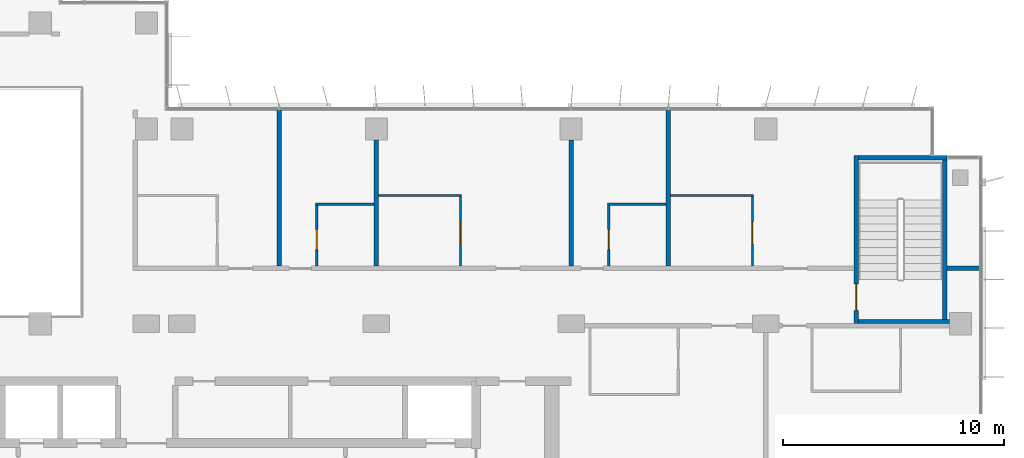
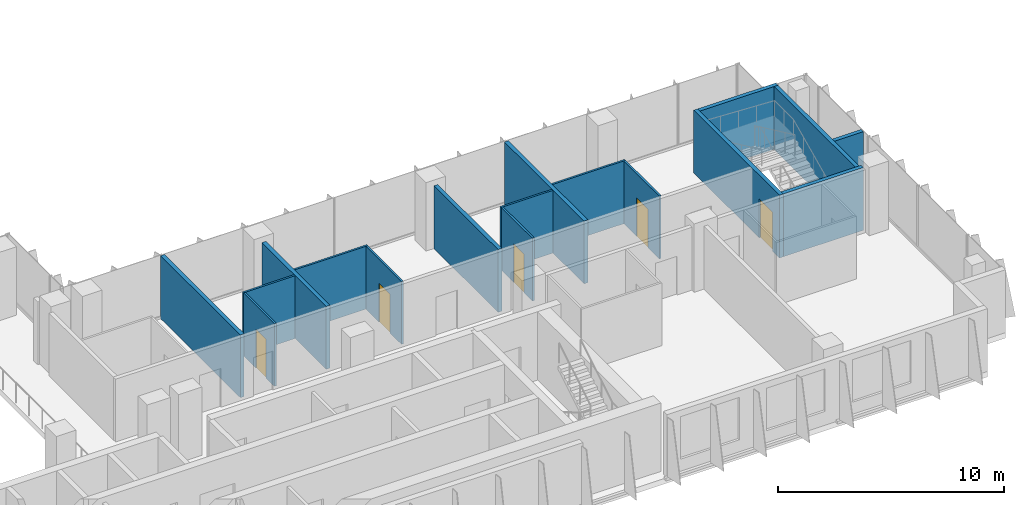
# One storey, part 15 of 21: 17 walls, 5 doors, 5 openings.
"""IFC4 building model written with IfcOpenShell, lengths in metres."""

from ifc_helpers import new_model, si_unit, direction, frame, frame_2d, origin, place, context, subcontext, project, spatial, rectangle, extrude, material, layer, layer_set, type_object, element, fill, save


model = new_model("IFC4")

# Units and contexts
model_context = context("Model", 3, precision=1e-05, world=origin(), true_north=direction((0.0, 1.0)))
body_context = subcontext(model_context, "Body", "Model", "MODEL_VIEW")
ifc_project = project(units=[si_unit("LENGTHUNIT", "METRE"), si_unit("AREAUNIT", "SQUARE_METRE"), si_unit("VOLUMEUNIT", "CUBIC_METRE"), si_unit("PLANEANGLEUNIT", "RADIAN"), si_unit("MASSUNIT", "GRAM", prefix="KILO")], contexts=[model_context])

# Site, building, storey
site_placement = place(None, origin())
site = spatial("IfcSite", under=ifc_project, at=site_placement, CompositionType="ELEMENT")
building_placement = place(site_placement, origin())
building = spatial("IfcBuilding", under=site, at=building_placement, Name="Kemantara Hotel Tower", CompositionType="ELEMENT")
storey_placement = place(building_placement, frame((0.0, 0.0, 164.199951171875)))
storey = spatial("IfcBuildingStorey", under=building, at=storey_placement, Name="L40", CompositionType="ELEMENT", Elevation=164.199951171875)

# Wall
ifc_material_1 = material(Name="Gypsum board partition, steel studs and mineral wool, 200 mm", Category="steel")
ifc_layer_1 = layer(ifc_material_1, 0.199951171875)
ifc_layer_set_1 = layer_set([ifc_layer_1], Name="Gypsum board partition, steel studs and mineral wool, 200 mm")
wall_type_1 = type_object("IfcWallType", Name="CORRIDOR WALL 200", PredefinedType="PARTITIONING", material=ifc_layer_set_1)
wall_1_placement = place(storey_placement, frame((62.0, 14.699951171875, 0.0), z_axis=(0.0, 0.0, 1.0), x_axis=(1.0, 0.0, 0.0)))
element("IfcWall", 1, at=wall_1_placement, inside=storey, type_object=wall_type_1, Name="CORRIDOR WALL 200 005", PredefinedType="PARTITIONING", context=body_context, shape_type="SweptSolid", body=[
    extrude(rectangle(XDim=1.47998046875, YDim=0.199951171875, at=frame_2d((0.739990234375, 0.0))), origin(), (0.0, 0.0, 1.0), 3.400146484375),
])

# Wall, opening, door
ifc_material_2 = material(Name="Concrete fc 40 MPa", Category="concrete")
ifc_layer_2 = layer(ifc_material_2, 0.199951171875)
ifc_layer_set_2 = layer_set([ifc_layer_2], Name="Concrete fc 40 MPa")
wall_type_2 = type_object("IfcWallType", Name="Concrete stair wall 200 mm", PredefinedType="SHEAR", material=ifc_layer_set_2)
wall_2_placement = place(storey_placement, frame((57.89990234375, 12.199951171875, 0.0), z_axis=(0.0, 0.0, 1.0), x_axis=(0.0, 1.0, 0.0)))
wall_2 = element("IfcWall", 2, at=wall_2_placement, inside=storey, type_object=wall_type_2, Name="Stair ST3 enclosure wall with door", PredefinedType="SHEAR", context=body_context, shape_type="SweptSolid", body=[
    extrude(rectangle(XDim=7.60009765625, YDim=0.199951171875, at=frame_2d((3.800048828125, 0.0))), origin(), (0.0, 0.0, 1.0), 3.400146484375),
])
opening_1_placement = place(wall_2_placement, frame((0.60009765625, 0.0, 0.0)))
opening_1 = element("IfcOpeningElement", 3, at=opening_1_placement, cuts=wall_2, Name="Opening ST3-C", PredefinedType="OPENING", context=body_context, shape_type="SweptSolid", body=[
    extrude(rectangle(XDim=1.199951171875, YDim=2.10009765625, at=frame_2d((0.60009765625, 1.050048828125))), frame((0.0, 0.10986328125, 0.0), z_axis=(0.0, -1.0, 0.0), x_axis=(1.0, 0.0, 0.0)), (0.0, 0.0, 1.0), 0.219970703125),
])
ifc_material_3 = material(Name="Steel fire door", Category="steel")
door_type_1 = type_object("IfcDoorType", Name="Fire door FD90 1200 x 2100", OperationType="NOTDEFINED", PredefinedType="DOOR", material=ifc_material_3)
door_1_placement = place(opening_1_placement, frame((1.199951171875, 0.0, 0.0), z_axis=(0.0, 0.0, 1.0), x_axis=(-1.0, 0.0, 0.0)))
door_1 = element("IfcDoor", 4, at=door_1_placement, inside=storey, type_object=door_type_1, Name="Stair ST3 door", OperationType="SINGLE_SWING_RIGHT", OverallHeight=2.10009765625, OverallWidth=1.199951171875, PredefinedType="DOOR", context=body_context, shape_type="SweptSolid", body=[
    extrude(rectangle(XDim=1.199951171875, YDim=2.10009765625, at=frame_2d((0.60009765625, 1.050048828125))), frame((0.0, 0.02490234375, 0.0), z_axis=(0.0, -1.0, 0.0), x_axis=(1.0, 0.0, 0.0)), (0.0, 0.0, 1.0), 0.050048828125),
])
fill(opening_1, door_1)

# Walls
wall_3_placement = place(storey_placement, frame((58.0, 19.699951171875, 0.0), z_axis=(0.0, 0.0, 1.0), x_axis=(1.0, 0.0, 0.0)))
element("IfcWall", 5, at=wall_3_placement, inside=storey, type_object=wall_type_2, Name="Stair ST3 enclosure wall N", PredefinedType="SHEAR", context=body_context, shape_type="SweptSolid", body=[
    extrude(rectangle(XDim=4.0, YDim=0.199951171875, at=frame_2d((2.0, 0.0))), origin(), (0.0, 0.0, 1.0), 3.400146484375),
])
wall_4_placement = place(storey_placement, frame((58.0, 12.300048828125, 0.0), z_axis=(0.0, 0.0, 1.0), x_axis=(1.0, 0.0, 0.0)))
element("IfcWall", 6, at=wall_4_placement, inside=storey, type_object=wall_type_2, Name="Stair ST3 enclosure wall S", PredefinedType="SHEAR", context=body_context, shape_type="SweptSolid", body=[
    extrude(rectangle(XDim=4.10009765625, YDim=0.199951171875, at=frame_2d((2.050048828125, 0.0))), origin(), (0.0, 0.0, 1.0), 3.400146484375),
])
wall_5_placement = place(storey_placement, frame((61.89990234375, 12.39990234375, 0.0), z_axis=(0.0, 0.0, 1.0), x_axis=(0.0, 1.0, 0.0)))
element("IfcWall", 7, at=wall_5_placement, inside=storey, type_object=wall_type_2, Name="Stair ST3 enclosure wall E", PredefinedType="SHEAR", context=body_context, shape_type="SweptSolid", body=[
    extrude(rectangle(XDim=7.2001953125, YDim=0.199951171875, at=frame_2d((3.60009765625, 0.0))), origin(), (0.0, 0.0, 1.0), 3.400146484375),
])
ifc_layer_3 = layer(ifc_material_1, 0.199951171875)
ifc_layer_set_3 = layer_set([ifc_layer_3], Name="Gypsum board partition, steel studs and mineral wool, 200 mm")
wall_type_3 = type_object("IfcWallType", Name="GUEST ROOM PARTY WALL 200", PredefinedType="PARTITIONING", material=ifc_layer_set_3)
wall_6_placement = place(storey_placement, frame((31.800048828125, 14.800048828125, 0.0), z_axis=(0.0, 0.0, 1.0), x_axis=(0.0, 1.0, 0.0)))
element("IfcWall", 8, at=wall_6_placement, inside=storey, type_object=wall_type_3, Name="GUEST ROOM PARTY WALL 200 008", PredefinedType="PARTITIONING", context=body_context, shape_type="SweptSolid", body=[
    extrude(rectangle(XDim=7.070068359375, YDim=0.199951171875, at=frame_2d((3.53515625, 0.0))), origin(), (0.0, 0.0, 1.0), 3.400146484375),
])
for number, where, z_axis, x_axis, name in (
    (9, (36.199951171875, 14.800048828125, 0.0), (0.0, 0.0, 1.0), (0.0, 1.0, 0.0), "GUEST ROOM PARTY WALL 200 009"),
    (10, (45.0, 14.800048828125, 0.0), (0.0, 0.0, 1.0), (0.0, 1.0, 0.0), "GUEST ROOM PARTY WALL 200 010"),
):
    element("IfcWall", number, at=place(storey_placement, frame(where, z_axis=z_axis, x_axis=x_axis)), inside=storey, type_object=wall_type_3, Name=name, PredefinedType="PARTITIONING", context=body_context, shape_type="SweptSolid", body=[
        extrude(rectangle(XDim=5.699951171875, YDim=0.199951171875, at=frame_2d((2.85009765625, 0.0))), origin(), (0.0, 0.0, 1.0), 3.400146484375),
    ])
wall_7_placement = place(storey_placement, frame((49.39990234375, 14.800048828125, 0.0), z_axis=(0.0, 0.0, 1.0), x_axis=(0.0, 1.0, 0.0)))
element("IfcWall", 11, at=wall_7_placement, inside=storey, type_object=wall_type_3, Name="GUEST ROOM PARTY WALL 200 011", PredefinedType="PARTITIONING", context=body_context, shape_type="SweptSolid", body=[
    extrude(rectangle(XDim=7.070068359375, YDim=0.199951171875, at=frame_2d((3.53515625, 0.0))), origin(), (0.0, 0.0, 1.0), 3.400146484375),
])
ifc_material_4 = material(Name="Gypsum board partition on steel studs, 100 mm", Category="steel")
ifc_layer_4 = layer(ifc_material_4, 0.10009765625)
ifc_layer_set_4 = layer_set([ifc_layer_4], Name="Gypsum board partition on steel studs, 100 mm")
wall_type_4 = type_object("IfcWallType", Name="ROOM PARTITION 100", PredefinedType="PARTITIONING", material=ifc_layer_set_4)
for number, where, z_axis, x_axis, name in (
    (12, (36.300048828125, 18.0, 0.0), (0.0, 0.0, 1.0), (1.0, 0.0, 0.0), "ROOM PARTITION 100 039"),
    (13, (49.5, 18.0, 0.0), (0.0, 0.0, 1.0), (1.0, 0.0, 0.0), "ROOM PARTITION 100 040"),
):
    element("IfcWall", number, at=place(storey_placement, frame(where, z_axis=z_axis, x_axis=x_axis)), inside=storey, type_object=wall_type_4, Name=name, PredefinedType="PARTITIONING", context=body_context, shape_type="SweptSolid", body=[
        extrude(rectangle(XDim=3.75, YDim=0.10009765625, at=frame_2d((1.875, 0.0))), origin(), (0.0, 0.0, 1.0), 3.400146484375),
    ])
for number, where, z_axis, x_axis, name in (
    (14, (33.449951171875, 17.60009765625, 0.0), (0.0, 0.0, 1.0), (1.0, 0.0, 0.0), "ROOM PARTITION 100 042"),
    (15, (46.64990234375, 17.60009765625, 0.0), (0.0, 0.0, 1.0), (1.0, 0.0, 0.0), "ROOM PARTITION 100 043"),
):
    element("IfcWall", number, at=place(storey_placement, frame(where, z_axis=z_axis, x_axis=x_axis)), inside=storey, type_object=wall_type_4, Name=name, PredefinedType="PARTITIONING", context=body_context, shape_type="SweptSolid", body=[
        extrude(rectangle(XDim=2.650146484375, YDim=0.10009765625, at=frame_2d((1.3251953125, 0.0))), origin(), (0.0, 0.0, 1.0), 3.400146484375),
    ])

# Wall, opening, door
wall_8_placement = place(storey_placement, frame((33.5, 17.550048828125, 0.0), z_axis=(0.0, 0.0, 1.0), x_axis=(0.0, -1.0, 0.0)))
wall_8 = element("IfcWall", 16, at=wall_8_placement, inside=storey, type_object=wall_type_4, Name="ROOM PARTITION 100 044", PredefinedType="PARTITIONING", context=body_context, shape_type="SweptSolid", body=[
    extrude(rectangle(XDim=2.75, YDim=0.10009765625, at=frame_2d((1.375, 0.0))), origin(), (0.0, 0.0, 1.0), 3.400146484375),
])
opening_2_placement = place(wall_8_placement, frame((1.10009765625, 0.0, 0.0)))
opening_2 = element("IfcOpeningElement", 17, at=opening_2_placement, cuts=wall_8, Name="Opening F18-008", PredefinedType="OPENING", context=body_context, shape_type="SweptSolid", body=[
    extrude(rectangle(XDim=0.89990234375, YDim=2.10009765625, at=frame_2d((0.449951171875, 1.050048828125))), frame((0.0, 0.06005859375, 0.0), z_axis=(0.0, -1.0, 0.0), x_axis=(1.0, 0.0, 0.0)), (0.0, 0.0, 1.0), 0.1201171875),
])
ifc_material_5 = material(Name="Hardwood veneer door leaf with steel frame", Category="steel")
door_type_2 = type_object("IfcDoorType", Name="BATHROOM DOOR 900 X 2100", OperationType="NOTDEFINED", PredefinedType="DOOR", material=ifc_material_5)
door_2_placement = place(opening_2_placement, origin())
door_2 = element("IfcDoor", 18, at=door_2_placement, inside=storey, type_object=door_type_2, Name="BATHROOM DOOR F18-008", OperationType="SINGLE_SWING_RIGHT", OverallHeight=2.10009765625, OverallWidth=0.89990234375, PredefinedType="DOOR", context=body_context, shape_type="SweptSolid", body=[
    extrude(rectangle(XDim=0.89990234375, YDim=2.10009765625, at=frame_2d((0.449951171875, 1.050048828125))), frame((0.0, 0.02490234375, 0.0), z_axis=(0.0, -1.0, 0.0), x_axis=(1.0, 0.0, 0.0)), (0.0, 0.0, 1.0), 0.050048828125),
])
fill(opening_2, door_2)

wall_9_placement = place(storey_placement, frame((40.0, 14.800048828125, 0.0), z_axis=(0.0, 0.0, 1.0), x_axis=(0.0, 1.0, 0.0)))
wall_9 = element("IfcWall", 19, at=wall_9_placement, inside=storey, type_object=wall_type_4, Name="ROOM PARTITION 100 045", PredefinedType="PARTITIONING", context=body_context, shape_type="SweptSolid", body=[
    extrude(rectangle(XDim=3.14990234375, YDim=0.10009765625, at=frame_2d((1.574951171875, 0.0))), origin(), (0.0, 0.0, 1.0), 3.400146484375),
])
opening_3_placement = place(wall_9_placement, frame((1.0, 0.0, 0.0)))
opening_3 = element("IfcOpeningElement", 20, at=opening_3_placement, cuts=wall_9, Name="Opening F18-010", PredefinedType="OPENING", context=body_context, shape_type="SweptSolid", body=[
    extrude(rectangle(XDim=1.0, YDim=2.10009765625, at=frame_2d((0.5, 1.050048828125))), frame((0.0, 0.06005859375, 0.0), z_axis=(0.0, -1.0, 0.0), x_axis=(1.0, 0.0, 0.0)), (0.0, 0.0, 1.0), 0.1201171875),
])
door_type_3 = type_object("IfcDoorType", Name="BATHROOM DOOR 1000 X 2100", OperationType="NOTDEFINED", PredefinedType="DOOR", material=ifc_material_5)
door_3_placement = place(opening_3_placement, origin())
door_3 = element("IfcDoor", 21, at=door_3_placement, inside=storey, type_object=door_type_3, Name="BATHROOM DOOR F18-010", OperationType="SINGLE_SWING_LEFT", OverallHeight=2.10009765625, OverallWidth=1.0, PredefinedType="DOOR", context=body_context, shape_type="SweptSolid", body=[
    extrude(rectangle(XDim=1.0, YDim=2.10009765625, at=frame_2d((0.5, 1.050048828125))), frame((0.0, 0.02490234375, 0.0), z_axis=(0.0, -1.0, 0.0), x_axis=(1.0, 0.0, 0.0)), (0.0, 0.0, 1.0), 0.050048828125),
])
fill(opening_3, door_3)

wall_10_placement = place(storey_placement, frame((46.699951171875, 17.550048828125, 0.0), z_axis=(0.0, 0.0, 1.0), x_axis=(0.0, -1.0, 0.0)))
wall_10 = element("IfcWall", 22, at=wall_10_placement, inside=storey, type_object=wall_type_4, Name="ROOM PARTITION 100 046", PredefinedType="PARTITIONING", context=body_context, shape_type="SweptSolid", body=[
    extrude(rectangle(XDim=2.75, YDim=0.10009765625, at=frame_2d((1.375, 0.0))), origin(), (0.0, 0.0, 1.0), 3.400146484375),
])
opening_4_placement = place(wall_10_placement, frame((1.10009765625, 0.0, 0.0)))
opening_4 = element("IfcOpeningElement", 23, at=opening_4_placement, cuts=wall_10, Name="Opening F18-012", PredefinedType="OPENING", context=body_context, shape_type="SweptSolid", body=[
    extrude(rectangle(XDim=0.89990234375, YDim=2.10009765625, at=frame_2d((0.449951171875, 1.050048828125))), frame((0.0, 0.06005859375, 0.0), z_axis=(0.0, -1.0, 0.0), x_axis=(1.0, 0.0, 0.0)), (0.0, 0.0, 1.0), 0.1201171875),
])
door_4_placement = place(opening_4_placement, origin())
door_4 = element("IfcDoor", 24, at=door_4_placement, inside=storey, type_object=door_type_2, Name="BATHROOM DOOR F18-012", OperationType="SINGLE_SWING_RIGHT", OverallHeight=2.10009765625, OverallWidth=0.89990234375, PredefinedType="DOOR", context=body_context, shape_type="SweptSolid", body=[
    extrude(rectangle(XDim=0.89990234375, YDim=2.10009765625, at=frame_2d((0.449951171875, 1.050048828125))), frame((0.0, 0.02490234375, 0.0), z_axis=(0.0, -1.0, 0.0), x_axis=(1.0, 0.0, 0.0)), (0.0, 0.0, 1.0), 0.050048828125),
])
fill(opening_4, door_4)

wall_11_placement = place(storey_placement, frame((53.199951171875, 14.800048828125, 0.0), z_axis=(0.0, 0.0, 1.0), x_axis=(0.0, 1.0, 0.0)))
wall_11 = element("IfcWall", 25, at=wall_11_placement, inside=storey, type_object=wall_type_4, Name="ROOM PARTITION 100 047", PredefinedType="PARTITIONING", context=body_context, shape_type="SweptSolid", body=[
    extrude(rectangle(XDim=3.14990234375, YDim=0.10009765625, at=frame_2d((1.574951171875, 0.0))), origin(), (0.0, 0.0, 1.0), 3.400146484375),
])
opening_5_placement = place(wall_11_placement, frame((1.0, 0.0, 0.0)))
opening_5 = element("IfcOpeningElement", 26, at=opening_5_placement, cuts=wall_11, Name="Opening F18-014", PredefinedType="OPENING", context=body_context, shape_type="SweptSolid", body=[
    extrude(rectangle(XDim=1.0, YDim=2.10009765625, at=frame_2d((0.5, 1.050048828125))), frame((0.0, 0.06005859375, 0.0), z_axis=(0.0, -1.0, 0.0), x_axis=(1.0, 0.0, 0.0)), (0.0, 0.0, 1.0), 0.1201171875),
])
door_5_placement = place(opening_5_placement, origin())
door_5 = element("IfcDoor", 27, at=door_5_placement, inside=storey, type_object=door_type_3, Name="BATHROOM DOOR F18-014", OperationType="SINGLE_SWING_LEFT", OverallHeight=2.10009765625, OverallWidth=1.0, PredefinedType="DOOR", context=body_context, shape_type="SweptSolid", body=[
    extrude(rectangle(XDim=1.0, YDim=2.10009765625, at=frame_2d((0.5, 1.050048828125))), frame((0.0, 0.02490234375, 0.0), z_axis=(0.0, -1.0, 0.0), x_axis=(1.0, 0.0, 0.0)), (0.0, 0.0, 1.0), 0.050048828125),
])
fill(opening_5, door_5)

save(model, "model.ifc")
